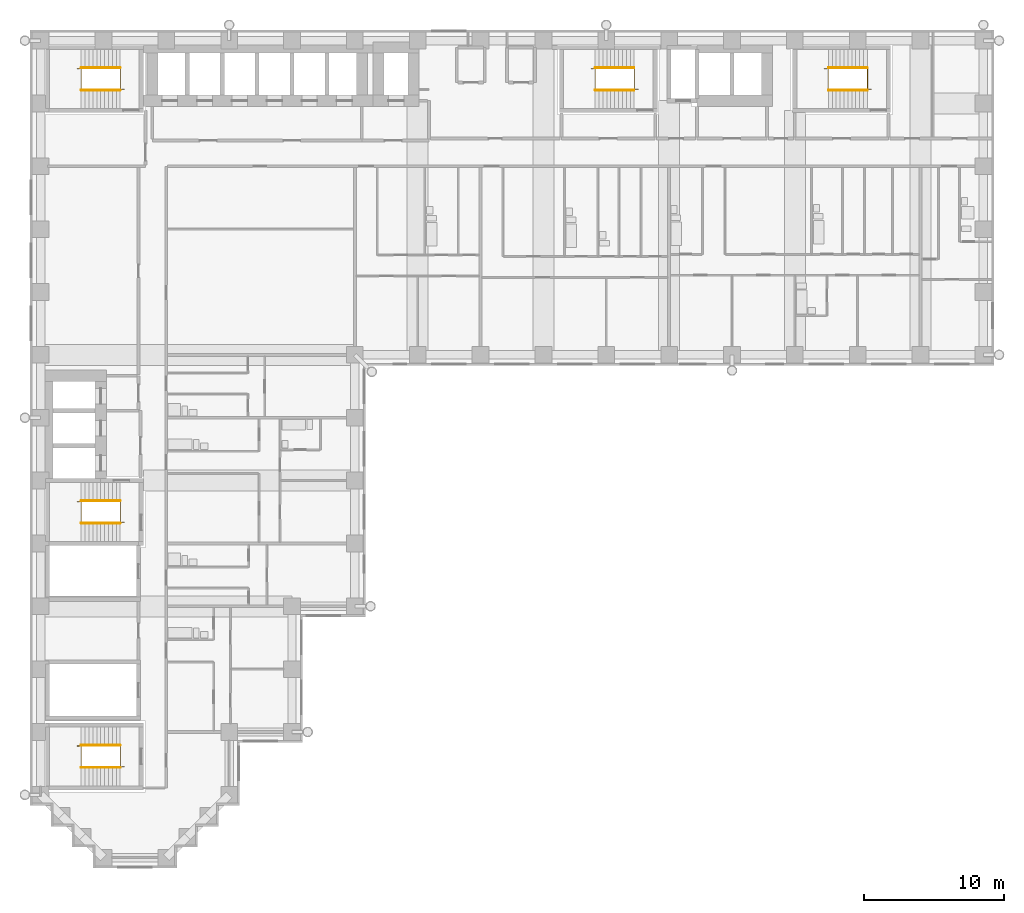
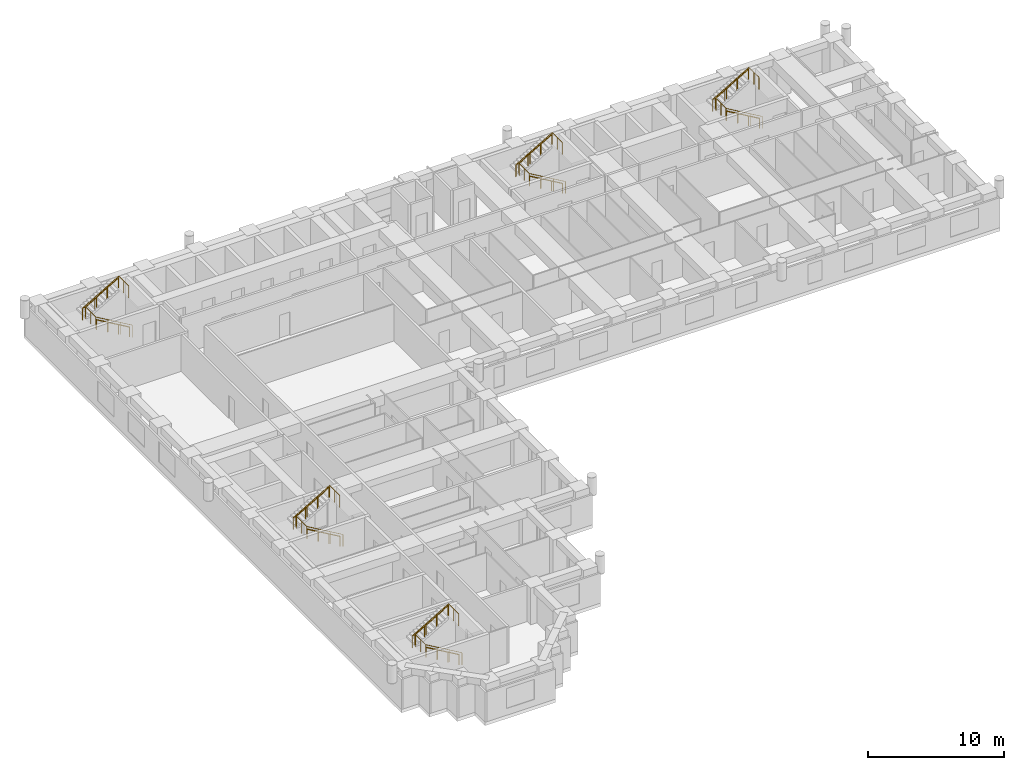
# One storey, part 13 of 14: 15 railings.
"""IFC4 building model written with IfcOpenShell, lengths in metres."""

from ifc_helpers import new_model, si_unit, direction, frame, origin, origin_2d, place, context, subcontext, project, spatial, circle, extrude, material, type_object, element, save


model = new_model("IFC4")

# Units and contexts
model_context = context("Model", 3, precision=1e-05, world=origin(), true_north=direction((0.0, 1.0)))
body_context = subcontext(model_context, "Body", "Model", "MODEL_VIEW")
ifc_project = project(units=[si_unit("LENGTHUNIT", "METRE"), si_unit("AREAUNIT", "SQUARE_METRE"), si_unit("VOLUMEUNIT", "CUBIC_METRE"), si_unit("PLANEANGLEUNIT", "RADIAN"), si_unit("MASSUNIT", "GRAM", prefix="KILO")], contexts=[model_context])

# Site, building, storey
site_placement = place(None, origin())
site = spatial("IfcSite", under=ifc_project, at=site_placement, CompositionType="ELEMENT")
building_placement = place(site_placement, origin())
building = spatial("IfcBuilding", under=site, at=building_placement, Name="Firuza Court", CompositionType="ELEMENT")
storey_placement = place(building_placement, frame((0.0, 0.0, 90.199951171875)))
storey = spatial("IfcBuildingStorey", under=building, at=storey_placement, Name="L22", CompositionType="ELEMENT", Elevation=90.199951171875)

# Railings
ifc_material_1 = material(Name="Steel S355", Category="steel")
railing_type_1 = type_object("IfcRailingType", Name="Handrail 900", PredefinedType="HANDRAIL", material=ifc_material_1)
railing_1_placement = place(storey_placement, frame((42.5, 54.949951171875, 0.16357421875)))
element("IfcRailing", 1, at=railing_1_placement, inside=storey, type_object=railing_type_1, Name="Handrail S1 flight 1", PredefinedType="HANDRAIL", context=body_context, shape_type="SweptSolid", body=[
    extrude(circle(Radius=0.02490234375, at=origin_2d()), frame((0.0, 0.0, 0.875), z_axis=(-0.863360870873, 0.0, 0.504586966384), x_axis=(0.0, -1.0, 0.0)), (0.0, 0.0, 1.0), 3.2431640625),
    extrude(circle(Radius=0.02001953125, at=origin_2d()), origin(), (0.0, 0.0, 1.0), 0.849853515625),
    extrude(circle(Radius=0.02001953125, at=origin_2d()), frame((-0.933349609375, 0.0, 0.54541015625)), (0.0, 0.0, 1.0), 0.849853515625),
    extrude(circle(Radius=0.02001953125, at=origin_2d()), frame((-1.86669921875, 0.0, 1.091064453125)), (0.0, 0.0, 1.0), 0.849853515625),
    extrude(circle(Radius=0.02001953125, at=origin_2d()), frame((-2.800048828125, 0.0, 1.636474609375)), (0.0, 0.0, 1.0), 0.849853515625),
])
railing_2_placement = place(storey_placement, frame((39.699951171875, 56.550048828125, 1.963623046875)))
element("IfcRailing", 2, at=railing_2_placement, inside=storey, type_object=railing_type_1, Name="Handrail S1 flight 2", PredefinedType="HANDRAIL", context=body_context, shape_type="SweptSolid", body=[
    extrude(circle(Radius=0.02490234375, at=origin_2d()), frame((0.0, 0.0, 0.875), z_axis=(0.863360870873, 0.0, 0.504586966384), x_axis=(0.0, 1.0, 0.0)), (0.0, 0.0, 1.0), 3.2431640625),
    extrude(circle(Radius=0.02001953125, at=origin_2d()), origin(), (0.0, 0.0, 1.0), 0.849853515625),
    extrude(circle(Radius=0.02001953125, at=origin_2d()), frame((0.933349609375, 0.0, 0.54541015625)), (0.0, 0.0, 1.0), 0.849853515625),
    extrude(circle(Radius=0.02001953125, at=origin_2d()), frame((1.86669921875, 0.0, 1.091064453125)), (0.0, 0.0, 1.0), 0.849853515625),
    extrude(circle(Radius=0.02001953125, at=origin_2d()), frame((2.800048828125, 0.0, 1.636474609375)), (0.0, 0.0, 1.0), 0.849853515625),
])
railing_3_placement = place(storey_placement, frame((5.699951171875, 23.949951171875, 0.16357421875)))
element("IfcRailing", 3, at=railing_3_placement, inside=storey, type_object=railing_type_1, Name="Handrail S2 flight 1", PredefinedType="HANDRAIL", context=body_context, shape_type="SweptSolid", body=[
    extrude(circle(Radius=0.02490234375, at=origin_2d()), frame((0.0, 0.0, 0.875), z_axis=(-0.863360870873, 0.0, 0.504586966384), x_axis=(0.0, -1.0, 0.0)), (0.0, 0.0, 1.0), 3.2431640625),
    extrude(circle(Radius=0.02001953125, at=origin_2d()), origin(), (0.0, 0.0, 1.0), 0.849853515625),
    extrude(circle(Radius=0.02001953125, at=origin_2d()), frame((-0.933349609375, 0.0, 0.54541015625)), (0.0, 0.0, 1.0), 0.849853515625),
    extrude(circle(Radius=0.02001953125, at=origin_2d()), frame((-1.86669921875, 0.0, 1.091064453125)), (0.0, 0.0, 1.0), 0.849853515625),
    extrude(circle(Radius=0.02001953125, at=origin_2d()), frame((-2.800048828125, 0.0, 1.636474609375)), (0.0, 0.0, 1.0), 0.849853515625),
])
railing_4_placement = place(storey_placement, frame((2.89990234375, 25.550048828125, 1.963623046875)))
element("IfcRailing", 4, at=railing_4_placement, inside=storey, type_object=railing_type_1, Name="Handrail S2 flight 2", PredefinedType="HANDRAIL", context=body_context, shape_type="SweptSolid", body=[
    extrude(circle(Radius=0.02490234375, at=origin_2d()), frame((0.0, 0.0, 0.875), z_axis=(0.863360870873, 0.0, 0.504586966384), x_axis=(0.0, 1.0, 0.0)), (0.0, 0.0, 1.0), 3.2431640625),
    extrude(circle(Radius=0.02001953125, at=origin_2d()), origin(), (0.0, 0.0, 1.0), 0.849853515625),
    extrude(circle(Radius=0.02001953125, at=origin_2d()), frame((0.933349609375, 0.0, 0.54541015625)), (0.0, 0.0, 1.0), 0.849853515625),
    extrude(circle(Radius=0.02001953125, at=origin_2d()), frame((1.86669921875, 0.0, 1.091064453125)), (0.0, 0.0, 1.0), 0.849853515625),
    extrude(circle(Radius=0.02001953125, at=origin_2d()), frame((2.800048828125, 0.0, 1.636474609375)), (0.0, 0.0, 1.0), 0.849853515625),
])
railing_5_placement = place(storey_placement, frame((5.699951171875, 54.949951171875, 0.16357421875)))
element("IfcRailing", 5, at=railing_5_placement, inside=storey, type_object=railing_type_1, Name="Handrail S3 flight 1", PredefinedType="HANDRAIL", context=body_context, shape_type="SweptSolid", body=[
    extrude(circle(Radius=0.02490234375, at=origin_2d()), frame((0.0, 0.0, 0.875), z_axis=(-0.863360870873, 0.0, 0.504586966384), x_axis=(0.0, -1.0, 0.0)), (0.0, 0.0, 1.0), 3.2431640625),
    extrude(circle(Radius=0.02001953125, at=origin_2d()), origin(), (0.0, 0.0, 1.0), 0.849853515625),
    extrude(circle(Radius=0.02001953125, at=origin_2d()), frame((-0.933349609375, 0.0, 0.54541015625)), (0.0, 0.0, 1.0), 0.849853515625),
    extrude(circle(Radius=0.02001953125, at=origin_2d()), frame((-1.86669921875, 0.0, 1.091064453125)), (0.0, 0.0, 1.0), 0.849853515625),
    extrude(circle(Radius=0.02001953125, at=origin_2d()), frame((-2.800048828125, 0.0, 1.636474609375)), (0.0, 0.0, 1.0), 0.849853515625),
])
railing_6_placement = place(storey_placement, frame((2.89990234375, 56.550048828125, 1.963623046875)))
element("IfcRailing", 6, at=railing_6_placement, inside=storey, type_object=railing_type_1, Name="Handrail S3 flight 2", PredefinedType="HANDRAIL", context=body_context, shape_type="SweptSolid", body=[
    extrude(circle(Radius=0.02490234375, at=origin_2d()), frame((0.0, 0.0, 0.875), z_axis=(0.863360870873, 0.0, 0.504586966384), x_axis=(0.0, 1.0, 0.0)), (0.0, 0.0, 1.0), 3.2431640625),
    extrude(circle(Radius=0.02001953125, at=origin_2d()), origin(), (0.0, 0.0, 1.0), 0.849853515625),
    extrude(circle(Radius=0.02001953125, at=origin_2d()), frame((0.933349609375, 0.0, 0.54541015625)), (0.0, 0.0, 1.0), 0.849853515625),
    extrude(circle(Radius=0.02001953125, at=origin_2d()), frame((1.86669921875, 0.0, 1.091064453125)), (0.0, 0.0, 1.0), 0.849853515625),
    extrude(circle(Radius=0.02001953125, at=origin_2d()), frame((2.800048828125, 0.0, 1.636474609375)), (0.0, 0.0, 1.0), 0.849853515625),
])
railing_7_placement = place(storey_placement, frame((59.199951171875, 54.949951171875, 0.16357421875)))
element("IfcRailing", 7, at=railing_7_placement, inside=storey, type_object=railing_type_1, Name="Handrail S4 flight 1", PredefinedType="HANDRAIL", context=body_context, shape_type="SweptSolid", body=[
    extrude(circle(Radius=0.02490234375, at=origin_2d()), frame((0.0, 0.0, 0.875), z_axis=(-0.863360870873, 0.0, 0.504586966384), x_axis=(0.0, -1.0, 0.0)), (0.0, 0.0, 1.0), 3.2431640625),
    extrude(circle(Radius=0.02001953125, at=origin_2d()), origin(), (0.0, 0.0, 1.0), 0.849853515625),
    extrude(circle(Radius=0.02001953125, at=origin_2d()), frame((-0.933349609375, 0.0, 0.54541015625)), (0.0, 0.0, 1.0), 0.849853515625),
    extrude(circle(Radius=0.02001953125, at=origin_2d()), frame((-1.86669921875, 0.0, 1.091064453125)), (0.0, 0.0, 1.0), 0.849853515625),
    extrude(circle(Radius=0.02001953125, at=origin_2d()), frame((-2.800048828125, 0.0, 1.636474609375)), (0.0, 0.0, 1.0), 0.849853515625),
])
railing_8_placement = place(storey_placement, frame((56.39990234375, 56.550048828125, 1.963623046875)))
element("IfcRailing", 8, at=railing_8_placement, inside=storey, type_object=railing_type_1, Name="Handrail S4 flight 2", PredefinedType="HANDRAIL", context=body_context, shape_type="SweptSolid", body=[
    extrude(circle(Radius=0.02490234375, at=origin_2d()), frame((0.0, 0.0, 0.875), z_axis=(0.863360870873, 0.0, 0.504586966384), x_axis=(0.0, 1.0, 0.0)), (0.0, 0.0, 1.0), 3.2431640625),
    extrude(circle(Radius=0.02001953125, at=origin_2d()), origin(), (0.0, 0.0, 1.0), 0.849853515625),
    extrude(circle(Radius=0.02001953125, at=origin_2d()), frame((0.933349609375, 0.0, 0.54541015625)), (0.0, 0.0, 1.0), 0.849853515625),
    extrude(circle(Radius=0.02001953125, at=origin_2d()), frame((1.86669921875, 0.0, 1.091064453125)), (0.0, 0.0, 1.0), 0.849853515625),
    extrude(circle(Radius=0.02001953125, at=origin_2d()), frame((2.800048828125, 0.0, 1.636474609375)), (0.0, 0.0, 1.0), 0.849853515625),
])
railing_9_placement = place(storey_placement, frame((5.699951171875, 6.449951171875, 0.16357421875)))
element("IfcRailing", 9, at=railing_9_placement, inside=storey, type_object=railing_type_1, Name="Handrail S5 flight 1", PredefinedType="HANDRAIL", context=body_context, shape_type="SweptSolid", body=[
    extrude(circle(Radius=0.02490234375, at=origin_2d()), frame((0.0, 0.0, 0.875), z_axis=(-0.863360870873, 0.0, 0.504586966384), x_axis=(0.0, -1.0, 0.0)), (0.0, 0.0, 1.0), 3.2431640625),
    extrude(circle(Radius=0.02001953125, at=origin_2d()), origin(), (0.0, 0.0, 1.0), 0.849853515625),
    extrude(circle(Radius=0.02001953125, at=origin_2d()), frame((-0.933349609375, 0.0, 0.54541015625)), (0.0, 0.0, 1.0), 0.849853515625),
    extrude(circle(Radius=0.02001953125, at=origin_2d()), frame((-1.86669921875, 0.0, 1.091064453125)), (0.0, 0.0, 1.0), 0.849853515625),
    extrude(circle(Radius=0.02001953125, at=origin_2d()), frame((-2.800048828125, 0.0, 1.636474609375)), (0.0, 0.0, 1.0), 0.849853515625),
])
railing_10_placement = place(storey_placement, frame((2.89990234375, 8.050048828125, 1.963623046875)))
element("IfcRailing", 10, at=railing_10_placement, inside=storey, type_object=railing_type_1, Name="Handrail S5 flight 2", PredefinedType="HANDRAIL", context=body_context, shape_type="SweptSolid", body=[
    extrude(circle(Radius=0.02490234375, at=origin_2d()), frame((0.0, 0.0, 0.875), z_axis=(0.863360870873, 0.0, 0.504586966384), x_axis=(0.0, 1.0, 0.0)), (0.0, 0.0, 1.0), 3.2431640625),
    extrude(circle(Radius=0.02001953125, at=origin_2d()), origin(), (0.0, 0.0, 1.0), 0.849853515625),
    extrude(circle(Radius=0.02001953125, at=origin_2d()), frame((0.933349609375, 0.0, 0.54541015625)), (0.0, 0.0, 1.0), 0.849853515625),
    extrude(circle(Radius=0.02001953125, at=origin_2d()), frame((1.86669921875, 0.0, 1.091064453125)), (0.0, 0.0, 1.0), 0.849853515625),
    extrude(circle(Radius=0.02001953125, at=origin_2d()), frame((2.800048828125, 0.0, 1.636474609375)), (0.0, 0.0, 1.0), 0.849853515625),
])
ifc_material_2 = material(Name="Steel S355", Category="steel")
railing_type_2 = type_object("IfcRailingType", Name="Stair guard 1100", PredefinedType="GUARDRAIL", material=ifc_material_2)
railing_11_placement = place(storey_placement, frame((42.780029296875, 55.010009765625, 0.0)))
element("IfcRailing", 11, at=railing_11_placement, inside=storey, type_object=railing_type_2, Name="Stair well guard S1", PredefinedType="GUARDRAIL", context=body_context, shape_type="SweptSolid", body=[
    extrude(circle(Radius=0.02490234375, at=origin_2d()), frame((0.0, 0.0, 1.0751953125), z_axis=(-0.863371556955, 0.0, 0.504568681787), x_axis=(0.0, -1.0, 0.0)), (0.0, 0.0, 1.0), 3.5673828125),
    extrude(circle(Radius=0.02490234375, at=origin_2d()), frame((-3.080078125, 0.0, 2.875), z_axis=(0.0, 1.0, 0.0), x_axis=(-1.0, 0.0, 0.0)), (0.0, 0.0, 1.0), 1.47998046875),
    extrude(circle(Radius=0.02490234375, at=origin_2d()), frame((-3.080078125, 1.47998046875, 2.875), z_axis=(-1.0, 0.0, 0.0), x_axis=(0.0, -1.0, 0.0)), (0.0, 0.0, 1.0), 0.280029296875),
    extrude(circle(Radius=0.02490234375, at=origin_2d()), frame((-3.360107421875, 1.47998046875, 2.875), z_axis=(0.863371556955, 0.0, 0.504568681787), x_axis=(0.0, 1.0, 0.0)), (0.0, 0.0, 1.0), 3.5673828125),
    extrude(circle(Radius=0.02490234375, at=origin_2d()), frame((-0.280029296875, 1.47998046875, 4.67529296875), z_axis=(0.0, -1.0, 0.0), x_axis=(1.0, 0.0, 0.0)), (0.0, 0.0, 1.0), 1.47998046875),
    extrude(circle(Radius=0.02490234375, at=origin_2d()), origin(), (0.0, 0.0, 1.0), 1.050048828125),
    extrude(circle(Radius=0.02490234375, at=origin_2d()), frame((-1.026611328125, 0.0, 0.60009765625)), (0.0, 0.0, 1.0), 1.050048828125),
    extrude(circle(Radius=0.02490234375, at=origin_2d()), frame((-2.053466796875, 0.0, 1.199951171875)), (0.0, 0.0, 1.0), 1.050048828125),
    extrude(circle(Radius=0.02490234375, at=origin_2d()), frame((-3.080078125, 0.0, 1.800048828125)), (0.0, 0.0, 1.0), 1.050048828125),
    extrude(circle(Radius=0.02490234375, at=origin_2d()), frame((-3.080078125, 0.739990234375, 1.800048828125)), (0.0, 0.0, 1.0), 1.050048828125),
    extrude(circle(Radius=0.02490234375, at=origin_2d()), frame((-3.080078125, 1.47998046875, 1.800048828125)), (0.0, 0.0, 1.0), 1.050048828125),
    extrude(circle(Radius=0.02490234375, at=origin_2d()), frame((-3.360107421875, 1.47998046875, 1.800048828125)), (0.0, 0.0, 1.0), 1.050048828125),
    extrude(circle(Radius=0.02490234375, at=origin_2d()), frame((-2.33349609375, 1.47998046875, 2.400146484375)), (0.0, 0.0, 1.0), 1.050048828125),
    extrude(circle(Radius=0.02490234375, at=origin_2d()), frame((-1.306640625, 1.47998046875, 3.0)), (0.0, 0.0, 1.0), 1.050048828125),
    extrude(circle(Radius=0.02490234375, at=origin_2d()), frame((-0.280029296875, 1.47998046875, 3.60009765625)), (0.0, 0.0, 1.0), 1.050048828125),
    extrude(circle(Radius=0.02490234375, at=origin_2d()), frame((-0.280029296875, 0.739990234375, 3.60009765625)), (0.0, 0.0, 1.0), 1.050048828125),
    extrude(circle(Radius=0.02490234375, at=origin_2d()), frame((-0.280029296875, 0.0, 3.60009765625)), (0.0, 0.0, 1.0), 1.050048828125),
])
railing_12_placement = place(storey_placement, frame((5.97998046875, 24.010009765625, 0.0)))
element("IfcRailing", 12, at=railing_12_placement, inside=storey, type_object=railing_type_2, Name="Stair well guard S2", PredefinedType="GUARDRAIL", context=body_context, shape_type="SweptSolid", body=[
    extrude(circle(Radius=0.02490234375, at=origin_2d()), frame((0.0, 0.0, 1.0751953125), z_axis=(-0.863371556955, 0.0, 0.504568681787), x_axis=(0.0, -1.0, 0.0)), (0.0, 0.0, 1.0), 3.5673828125),
    extrude(circle(Radius=0.02490234375, at=origin_2d()), frame((-3.080078125, 0.0, 2.875), z_axis=(0.0, 1.0, 0.0), x_axis=(-1.0, 0.0, 0.0)), (0.0, 0.0, 1.0), 1.47998046875),
    extrude(circle(Radius=0.02490234375, at=origin_2d()), frame((-3.080078125, 1.47998046875, 2.875), z_axis=(-1.0, 0.0, 0.0), x_axis=(0.0, -1.0, 0.0)), (0.0, 0.0, 1.0), 0.27978515625),
    extrude(circle(Radius=0.02490234375, at=origin_2d()), frame((-3.35986328125, 1.47998046875, 2.875), z_axis=(0.863354132664, 0.0, 0.504598495452), x_axis=(0.0, 1.0, 0.0)), (0.0, 0.0, 1.0), 3.5673828125),
    extrude(circle(Radius=0.02490234375, at=origin_2d()), frame((-0.280029296875, 1.47998046875, 4.67529296875), z_axis=(0.0, -1.0, 0.0), x_axis=(1.0, 0.0, 0.0)), (0.0, 0.0, 1.0), 1.47998046875),
    extrude(circle(Radius=0.02490234375, at=origin_2d()), origin(), (0.0, 0.0, 1.0), 1.050048828125),
    extrude(circle(Radius=0.02490234375, at=origin_2d()), frame((-1.026611328125, 0.0, 0.60009765625)), (0.0, 0.0, 1.0), 1.050048828125),
    extrude(circle(Radius=0.02490234375, at=origin_2d()), frame((-2.053466796875, 0.0, 1.199951171875)), (0.0, 0.0, 1.0), 1.050048828125),
    extrude(circle(Radius=0.02490234375, at=origin_2d()), frame((-3.080078125, 0.0, 1.800048828125)), (0.0, 0.0, 1.0), 1.050048828125),
    extrude(circle(Radius=0.02490234375, at=origin_2d()), frame((-3.080078125, 0.739990234375, 1.800048828125)), (0.0, 0.0, 1.0), 1.050048828125),
    extrude(circle(Radius=0.02490234375, at=origin_2d()), frame((-3.080078125, 1.47998046875, 1.800048828125)), (0.0, 0.0, 1.0), 1.050048828125),
    extrude(circle(Radius=0.02490234375, at=origin_2d()), frame((-3.35986328125, 1.47998046875, 1.800048828125)), (0.0, 0.0, 1.0), 1.050048828125),
    extrude(circle(Radius=0.02490234375, at=origin_2d()), frame((-2.333251953125, 1.47998046875, 2.400146484375)), (0.0, 0.0, 1.0), 1.050048828125),
    extrude(circle(Radius=0.02490234375, at=origin_2d()), frame((-1.306640625, 1.47998046875, 3.0)), (0.0, 0.0, 1.0), 1.050048828125),
    extrude(circle(Radius=0.02490234375, at=origin_2d()), frame((-0.280029296875, 1.47998046875, 3.60009765625)), (0.0, 0.0, 1.0), 1.050048828125),
    extrude(circle(Radius=0.02490234375, at=origin_2d()), frame((-0.280029296875, 0.739990234375, 3.60009765625)), (0.0, 0.0, 1.0), 1.050048828125),
    extrude(circle(Radius=0.02490234375, at=origin_2d()), frame((-0.280029296875, 0.0, 3.60009765625)), (0.0, 0.0, 1.0), 1.050048828125),
])
railing_13_placement = place(storey_placement, frame((5.97998046875, 55.010009765625, 0.0)))
element("IfcRailing", 13, at=railing_13_placement, inside=storey, type_object=railing_type_2, Name="Stair well guard S3", PredefinedType="GUARDRAIL", context=body_context, shape_type="SweptSolid", body=[
    extrude(circle(Radius=0.02490234375, at=origin_2d()), frame((0.0, 0.0, 1.0751953125), z_axis=(-0.863371556955, 0.0, 0.504568681787), x_axis=(0.0, -1.0, 0.0)), (0.0, 0.0, 1.0), 3.5673828125),
    extrude(circle(Radius=0.02490234375, at=origin_2d()), frame((-3.080078125, 0.0, 2.875), z_axis=(0.0, 1.0, 0.0), x_axis=(-1.0, 0.0, 0.0)), (0.0, 0.0, 1.0), 1.47998046875),
    extrude(circle(Radius=0.02490234375, at=origin_2d()), frame((-3.080078125, 1.47998046875, 2.875), z_axis=(-1.0, 0.0, 0.0), x_axis=(0.0, -1.0, 0.0)), (0.0, 0.0, 1.0), 0.27978515625),
    extrude(circle(Radius=0.02490234375, at=origin_2d()), frame((-3.35986328125, 1.47998046875, 2.875), z_axis=(0.863354132664, 0.0, 0.504598495452), x_axis=(0.0, 1.0, 0.0)), (0.0, 0.0, 1.0), 3.5673828125),
    extrude(circle(Radius=0.02490234375, at=origin_2d()), frame((-0.280029296875, 1.47998046875, 4.67529296875), z_axis=(0.0, -1.0, 0.0), x_axis=(1.0, 0.0, 0.0)), (0.0, 0.0, 1.0), 1.47998046875),
    extrude(circle(Radius=0.02490234375, at=origin_2d()), origin(), (0.0, 0.0, 1.0), 1.050048828125),
    extrude(circle(Radius=0.02490234375, at=origin_2d()), frame((-1.026611328125, 0.0, 0.60009765625)), (0.0, 0.0, 1.0), 1.050048828125),
    extrude(circle(Radius=0.02490234375, at=origin_2d()), frame((-2.053466796875, 0.0, 1.199951171875)), (0.0, 0.0, 1.0), 1.050048828125),
    extrude(circle(Radius=0.02490234375, at=origin_2d()), frame((-3.080078125, 0.0, 1.800048828125)), (0.0, 0.0, 1.0), 1.050048828125),
    extrude(circle(Radius=0.02490234375, at=origin_2d()), frame((-3.080078125, 0.739990234375, 1.800048828125)), (0.0, 0.0, 1.0), 1.050048828125),
    extrude(circle(Radius=0.02490234375, at=origin_2d()), frame((-3.080078125, 1.47998046875, 1.800048828125)), (0.0, 0.0, 1.0), 1.050048828125),
    extrude(circle(Radius=0.02490234375, at=origin_2d()), frame((-3.35986328125, 1.47998046875, 1.800048828125)), (0.0, 0.0, 1.0), 1.050048828125),
    extrude(circle(Radius=0.02490234375, at=origin_2d()), frame((-2.333251953125, 1.47998046875, 2.400146484375)), (0.0, 0.0, 1.0), 1.050048828125),
    extrude(circle(Radius=0.02490234375, at=origin_2d()), frame((-1.306640625, 1.47998046875, 3.0)), (0.0, 0.0, 1.0), 1.050048828125),
    extrude(circle(Radius=0.02490234375, at=origin_2d()), frame((-0.280029296875, 1.47998046875, 3.60009765625)), (0.0, 0.0, 1.0), 1.050048828125),
    extrude(circle(Radius=0.02490234375, at=origin_2d()), frame((-0.280029296875, 0.739990234375, 3.60009765625)), (0.0, 0.0, 1.0), 1.050048828125),
    extrude(circle(Radius=0.02490234375, at=origin_2d()), frame((-0.280029296875, 0.0, 3.60009765625)), (0.0, 0.0, 1.0), 1.050048828125),
])
railing_14_placement = place(storey_placement, frame((59.47998046875, 55.010009765625, 0.0)))
element("IfcRailing", 14, at=railing_14_placement, inside=storey, type_object=railing_type_2, Name="Stair well guard S4", PredefinedType="GUARDRAIL", context=body_context, shape_type="SweptSolid", body=[
    extrude(circle(Radius=0.02490234375, at=origin_2d()), frame((0.0, 0.0, 1.0751953125), z_axis=(-0.863371556955, 0.0, 0.504568681787), x_axis=(0.0, -1.0, 0.0)), (0.0, 0.0, 1.0), 3.5673828125),
    extrude(circle(Radius=0.02490234375, at=origin_2d()), frame((-3.080078125, 0.0, 2.875), z_axis=(0.0, 1.0, 0.0), x_axis=(-1.0, 0.0, 0.0)), (0.0, 0.0, 1.0), 1.47998046875),
    extrude(circle(Radius=0.02490234375, at=origin_2d()), frame((-3.080078125, 1.47998046875, 2.875), z_axis=(-1.0, 0.0, 0.0), x_axis=(0.0, -1.0, 0.0)), (0.0, 0.0, 1.0), 0.27978515625),
    extrude(circle(Radius=0.02490234375, at=origin_2d()), frame((-3.35986328125, 1.47998046875, 2.875), z_axis=(0.863354132664, 0.0, 0.504598495452), x_axis=(0.0, 1.0, 0.0)), (0.0, 0.0, 1.0), 3.5673828125),
    extrude(circle(Radius=0.02490234375, at=origin_2d()), frame((-0.280029296875, 1.47998046875, 4.67529296875), z_axis=(0.0, -1.0, 0.0), x_axis=(1.0, 0.0, 0.0)), (0.0, 0.0, 1.0), 1.47998046875),
    extrude(circle(Radius=0.02490234375, at=origin_2d()), origin(), (0.0, 0.0, 1.0), 1.050048828125),
    extrude(circle(Radius=0.02490234375, at=origin_2d()), frame((-1.026611328125, 0.0, 0.60009765625)), (0.0, 0.0, 1.0), 1.050048828125),
    extrude(circle(Radius=0.02490234375, at=origin_2d()), frame((-2.053466796875, 0.0, 1.199951171875)), (0.0, 0.0, 1.0), 1.050048828125),
    extrude(circle(Radius=0.02490234375, at=origin_2d()), frame((-3.080078125, 0.0, 1.800048828125)), (0.0, 0.0, 1.0), 1.050048828125),
    extrude(circle(Radius=0.02490234375, at=origin_2d()), frame((-3.080078125, 0.739990234375, 1.800048828125)), (0.0, 0.0, 1.0), 1.050048828125),
    extrude(circle(Radius=0.02490234375, at=origin_2d()), frame((-3.080078125, 1.47998046875, 1.800048828125)), (0.0, 0.0, 1.0), 1.050048828125),
    extrude(circle(Radius=0.02490234375, at=origin_2d()), frame((-3.35986328125, 1.47998046875, 1.800048828125)), (0.0, 0.0, 1.0), 1.050048828125),
    extrude(circle(Radius=0.02490234375, at=origin_2d()), frame((-2.333251953125, 1.47998046875, 2.400146484375)), (0.0, 0.0, 1.0), 1.050048828125),
    extrude(circle(Radius=0.02490234375, at=origin_2d()), frame((-1.306640625, 1.47998046875, 3.0)), (0.0, 0.0, 1.0), 1.050048828125),
    extrude(circle(Radius=0.02490234375, at=origin_2d()), frame((-0.280029296875, 1.47998046875, 3.60009765625)), (0.0, 0.0, 1.0), 1.050048828125),
    extrude(circle(Radius=0.02490234375, at=origin_2d()), frame((-0.280029296875, 0.739990234375, 3.60009765625)), (0.0, 0.0, 1.0), 1.050048828125),
    extrude(circle(Radius=0.02490234375, at=origin_2d()), frame((-0.280029296875, 0.0, 3.60009765625)), (0.0, 0.0, 1.0), 1.050048828125),
])
railing_15_placement = place(storey_placement, frame((5.97998046875, 6.510009765625, 0.0)))
element("IfcRailing", 15, at=railing_15_placement, inside=storey, type_object=railing_type_2, Name="Stair well guard S5", PredefinedType="GUARDRAIL", context=body_context, shape_type="SweptSolid", body=[
    extrude(circle(Radius=0.02490234375, at=origin_2d()), frame((0.0, 0.0, 1.0751953125), z_axis=(-0.863371556955, 0.0, 0.504568681787), x_axis=(0.0, -1.0, 0.0)), (0.0, 0.0, 1.0), 3.5673828125),
    extrude(circle(Radius=0.02490234375, at=origin_2d()), frame((-3.080078125, 0.0, 2.875), z_axis=(0.0, 1.0, 0.0), x_axis=(-1.0, 0.0, 0.0)), (0.0, 0.0, 1.0), 1.47998046875),
    extrude(circle(Radius=0.02490234375, at=origin_2d()), frame((-3.080078125, 1.47998046875, 2.875), z_axis=(-1.0, 0.0, 0.0), x_axis=(0.0, -1.0, 0.0)), (0.0, 0.0, 1.0), 0.27978515625),
    extrude(circle(Radius=0.02490234375, at=origin_2d()), frame((-3.35986328125, 1.47998046875, 2.875), z_axis=(0.863354132664, 0.0, 0.504598495452), x_axis=(0.0, 1.0, 0.0)), (0.0, 0.0, 1.0), 3.5673828125),
    extrude(circle(Radius=0.02490234375, at=origin_2d()), frame((-0.280029296875, 1.47998046875, 4.67529296875), z_axis=(0.0, -1.0, 0.0), x_axis=(1.0, 0.0, 0.0)), (0.0, 0.0, 1.0), 1.47998046875),
    extrude(circle(Radius=0.02490234375, at=origin_2d()), origin(), (0.0, 0.0, 1.0), 1.050048828125),
    extrude(circle(Radius=0.02490234375, at=origin_2d()), frame((-1.026611328125, 0.0, 0.60009765625)), (0.0, 0.0, 1.0), 1.050048828125),
    extrude(circle(Radius=0.02490234375, at=origin_2d()), frame((-2.053466796875, 0.0, 1.199951171875)), (0.0, 0.0, 1.0), 1.050048828125),
    extrude(circle(Radius=0.02490234375, at=origin_2d()), frame((-3.080078125, 0.0, 1.800048828125)), (0.0, 0.0, 1.0), 1.050048828125),
    extrude(circle(Radius=0.02490234375, at=origin_2d()), frame((-3.080078125, 0.739990234375, 1.800048828125)), (0.0, 0.0, 1.0), 1.050048828125),
    extrude(circle(Radius=0.02490234375, at=origin_2d()), frame((-3.080078125, 1.47998046875, 1.800048828125)), (0.0, 0.0, 1.0), 1.050048828125),
    extrude(circle(Radius=0.02490234375, at=origin_2d()), frame((-3.35986328125, 1.47998046875, 1.800048828125)), (0.0, 0.0, 1.0), 1.050048828125),
    extrude(circle(Radius=0.02490234375, at=origin_2d()), frame((-2.333251953125, 1.47998046875, 2.400146484375)), (0.0, 0.0, 1.0), 1.050048828125),
    extrude(circle(Radius=0.02490234375, at=origin_2d()), frame((-1.306640625, 1.47998046875, 3.0)), (0.0, 0.0, 1.0), 1.050048828125),
    extrude(circle(Radius=0.02490234375, at=origin_2d()), frame((-0.280029296875, 1.47998046875, 3.60009765625)), (0.0, 0.0, 1.0), 1.050048828125),
    extrude(circle(Radius=0.02490234375, at=origin_2d()), frame((-0.280029296875, 0.739990234375, 3.60009765625)), (0.0, 0.0, 1.0), 1.050048828125),
    extrude(circle(Radius=0.02490234375, at=origin_2d()), frame((-0.280029296875, 0.0, 3.60009765625)), (0.0, 0.0, 1.0), 1.050048828125),
])

save(model, "model.ifc")
